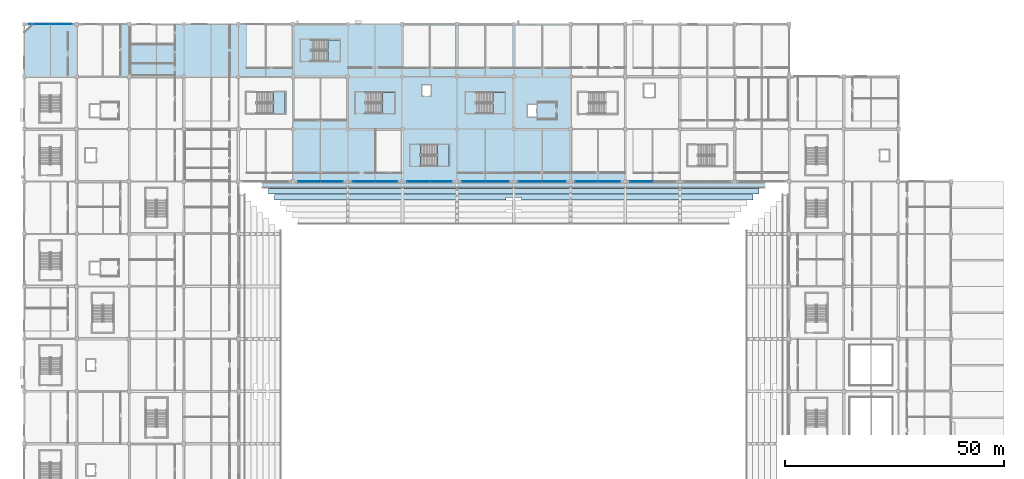
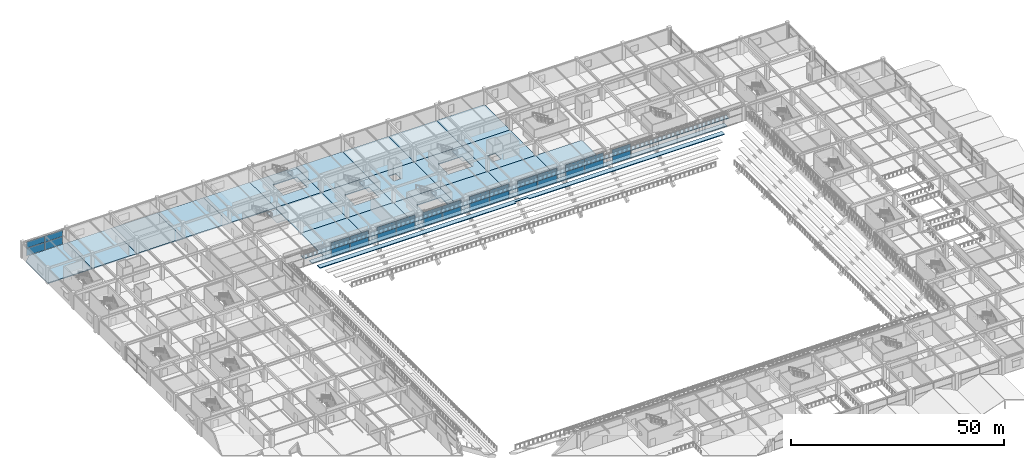
# One storey, part 70 of 134: 30 plates, 29 slabs, 13 elements without a shape of their own.
"""IFC4 building model written with IfcOpenShell, lengths in metres."""

from ifc_helpers import new_model, si_unit, direction, frame, origin, origin_2d, place, context, subcontext, project, spatial, polyline, rectangle, outline, extrude, material, layer, layer_set, type_object, element, aggregate, save


model = new_model("IFC4")

# Units and contexts
model_context = context("Model", 3, precision=1e-05, world=origin(), true_north=direction((0.0, 1.0)))
body_context = subcontext(model_context, "Body", "Model", "MODEL_VIEW")
ifc_project = project(units=[si_unit("LENGTHUNIT", "METRE"), si_unit("AREAUNIT", "SQUARE_METRE"), si_unit("VOLUMEUNIT", "CUBIC_METRE"), si_unit("PLANEANGLEUNIT", "RADIAN"), si_unit("MASSUNIT", "GRAM", prefix="KILO")], contexts=[model_context])

# Site, building, storey
site_placement = place(None, origin())
site = spatial("IfcSite", under=ifc_project, at=site_placement, CompositionType="ELEMENT")
building_placement = place(site_placement, origin())
building = spatial("IfcBuilding", under=site, at=building_placement, Name="Kazenohara Klinker Stadium", CompositionType="ELEMENT")
storey_placement = place(building_placement, frame((0.0, 0.0, 5.39990234375)))
storey = spatial("IfcBuildingStorey", under=building, at=storey_placement, Name="L01", CompositionType="ELEMENT", Elevation=5.39990234375)

# Curtain wall, plates
ifc_material_1 = material(Name="Anodised aluminium and triple glazing", Category="aluminium")
ifc_layer_1 = layer(ifc_material_1, 0.169921875)
ifc_layer_set_1 = layer_set([ifc_layer_1], Name="Anodised aluminium and triple glazing")
curtain_wall_type_1 = type_object("IfcCurtainWallType", Name="CW-SYS-04", PredefinedType="USERDEFINED", material=ifc_layer_set_1)
curtain_wall_1_placement = place(storey_placement, origin())
curtain_wall_1 = element("IfcCurtainWall", 1, at=curtain_wall_1_placement, inside=storey, type_object=curtain_wall_type_1, Name="Unitised facade curtain wall CW04 L01 X0-14", ObjectType="UNITISED CURTAIN WALL", PredefinedType="USERDEFINED")
ifc_material_2 = material(Name="Low-e laminated triple glazing", Category="glass")
ifc_layer_2 = layer(ifc_material_2, 0.0439453125)
ifc_layer_set_2 = layer_set([ifc_layer_2], Name="Low-e laminated triple glazing")
plate_type = type_object("IfcPlateType", Name="CW-PNL-44", PredefinedType="CURTAIN_PANEL", material=ifc_layer_set_2)
plate_1_placement = place(storey_placement, frame((3.545654296875, 168.0, 0.0751953125), z_axis=(0.0, 0.0, 1.0), x_axis=(1.0, 0.0, 0.0)))
plate_1 = element("IfcPlate", 2, at=plate_1_placement, type_object=plate_type, Name="CW04 panel 1.1", PredefinedType="CURTAIN_PANEL", context=body_context, shape_type="SweptSolid", body=[
    extrude(rectangle(XDim=4.83349609375, YDim=0.0439453125, at=origin_2d()), origin(), (0.0, 0.0, 1.0), 2.169921875),
])
plate_2_placement = place(storey_placement, frame((3.545654296875, 168.0, 2.320068359375), z_axis=(0.0, 0.0, 1.0), x_axis=(1.0, 0.0, 0.0)))
plate_2 = element("IfcPlate", 3, at=plate_2_placement, type_object=plate_type, Name="CW04 panel 1.2", PredefinedType="CURTAIN_PANEL", context=body_context, shape_type="SweptSolid", body=[
    extrude(rectangle(XDim=4.83349609375, YDim=0.0439453125, at=origin_2d()), origin(), (0.0, 0.0, 1.0), 1.7548828125),
])
plate_3_placement = place(storey_placement, frame((8.454345703125, 168.0, 0.0751953125), z_axis=(0.0, 0.0, 1.0), x_axis=(1.0, 0.0, 0.0)))
plate_3 = element("IfcPlate", 4, at=plate_3_placement, type_object=plate_type, Name="CW04 panel 2.1", PredefinedType="CURTAIN_PANEL", context=body_context, shape_type="SweptSolid", body=[
    extrude(rectangle(XDim=4.83349609375, YDim=0.0439453125, at=origin_2d()), origin(), (0.0, 0.0, 1.0), 2.169921875),
])
plate_4_placement = place(storey_placement, frame((8.454345703125, 168.0, 2.320068359375), z_axis=(0.0, 0.0, 1.0), x_axis=(1.0, 0.0, 0.0)))
plate_4 = element("IfcPlate", 5, at=plate_4_placement, type_object=plate_type, Name="CW04 panel 2.2", PredefinedType="CURTAIN_PANEL", context=body_context, shape_type="SweptSolid", body=[
    extrude(rectangle(XDim=4.83349609375, YDim=0.0439453125, at=origin_2d()), origin(), (0.0, 0.0, 1.0), 1.7548828125),
])
aggregate(curtain_wall_1, [plate_1, plate_2, plate_3, plate_4])

ifc_layer_3 = layer(ifc_material_1, 0.159912109375)
ifc_layer_set_3 = layer_set([ifc_layer_3], Name="Anodised aluminium and triple glazing")
curtain_wall_type_2 = type_object("IfcCurtainWallType", Name="CW-SYS-01", PredefinedType="USERDEFINED", material=ifc_layer_set_3)
curtain_wall_2_placement = place(storey_placement, origin())
curtain_wall_2 = element("IfcCurtainWall", 6, at=curtain_wall_2_placement, inside=storey, type_object=curtain_wall_type_2, Name="Unitised facade curtain wall CW01 L01 X5-11", ObjectType="UNITISED CURTAIN WALL", PredefinedType="USERDEFINED")
plate_5_placement = place(storey_placement, frame((65.208251953125, 132.0, 0.0751953125), z_axis=(0.0, 0.0, 1.0), x_axis=(1.0, 0.0, 0.0)))
plate_5 = element("IfcPlate", 7, at=plate_5_placement, type_object=plate_type, Name="CW01 panel 1.1", PredefinedType="CURTAIN_PANEL", context=body_context, shape_type="SweptSolid", body=[
    extrude(rectangle(XDim=5.05859375, YDim=0.0439453125, at=origin_2d()), origin(), (0.0, 0.0, 1.0), 2.169921875),
])
plate_6_placement = place(storey_placement, frame((65.208251953125, 132.0, 2.320068359375), z_axis=(0.0, 0.0, 1.0), x_axis=(1.0, 0.0, 0.0)))
plate_6 = element("IfcPlate", 8, at=plate_6_placement, type_object=plate_type, Name="CW01 panel 1.2", PredefinedType="CURTAIN_PANEL", context=body_context, shape_type="SweptSolid", body=[
    extrude(rectangle(XDim=5.05859375, YDim=0.0439453125, at=origin_2d()), origin(), (0.0, 0.0, 1.0), 1.7548828125),
])
plate_7_placement = place(storey_placement, frame((70.341796875, 132.0, 0.0751953125), z_axis=(0.0, 0.0, 1.0), x_axis=(1.0, 0.0, 0.0)))
plate_7 = element("IfcPlate", 9, at=plate_7_placement, type_object=plate_type, Name="CW01 panel 2.1", PredefinedType="CURTAIN_PANEL", context=body_context, shape_type="SweptSolid", body=[
    extrude(rectangle(XDim=5.05859375, YDim=0.0439453125, at=origin_2d()), origin(), (0.0, 0.0, 1.0), 2.169921875),
])
plate_8_placement = place(storey_placement, frame((70.341796875, 132.0, 2.320068359375), z_axis=(0.0, 0.0, 1.0), x_axis=(1.0, 0.0, 0.0)))
plate_8 = element("IfcPlate", 10, at=plate_8_placement, type_object=plate_type, Name="CW01 panel 2.2", PredefinedType="CURTAIN_PANEL", context=body_context, shape_type="SweptSolid", body=[
    extrude(rectangle(XDim=5.05859375, YDim=0.0439453125, at=origin_2d()), origin(), (0.0, 0.0, 1.0), 1.7548828125),
])
aggregate(curtain_wall_2, [plate_5, plate_6, plate_7, plate_8])

ifc_layer_4 = layer(ifc_material_1, 0.199951171875)
ifc_layer_set_4 = layer_set([ifc_layer_4], Name="Anodised aluminium and triple glazing")
curtain_wall_type_3 = type_object("IfcCurtainWallType", Name="CW-SYS-03", PredefinedType="USERDEFINED", material=ifc_layer_set_4)
curtain_wall_3_placement = place(storey_placement, origin())
curtain_wall_3 = element("IfcCurtainWall", 11, at=curtain_wall_3_placement, inside=storey, type_object=curtain_wall_type_3, Name="Unitised facade curtain wall CW03 L01 X6-11", ObjectType="UNITISED CURTAIN WALL", PredefinedType="USERDEFINED")
plate_9_placement = place(storey_placement, frame((77.670654296875, 132.0, 0.0751953125), z_axis=(0.0, 0.0, 1.0), x_axis=(1.0, 0.0, 0.0)))
plate_9 = element("IfcPlate", 12, at=plate_9_placement, type_object=plate_type, Name="CW03 panel 1.1", PredefinedType="CURTAIN_PANEL", context=body_context, shape_type="SweptSolid", body=[
    extrude(rectangle(XDim=5.08349609375, YDim=0.0439453125, at=origin_2d()), origin(), (0.0, 0.0, 1.0), 2.197509765625),
])
plate_10_placement = place(storey_placement, frame((77.670654296875, 132.0, 2.34765625), z_axis=(0.0, 0.0, 1.0), x_axis=(1.0, 0.0, 0.0)))
plate_10 = element("IfcPlate", 13, at=plate_10_placement, type_object=plate_type, Name="CW03 panel 1.2", PredefinedType="CURTAIN_PANEL", context=body_context, shape_type="SweptSolid", body=[
    extrude(rectangle(XDim=5.08349609375, YDim=0.0439453125, at=origin_2d()), origin(), (0.0, 0.0, 1.0), 1.777587890625),
])
plate_11_placement = place(storey_placement, frame((82.829345703125, 132.0, 0.0751953125), z_axis=(0.0, 0.0, 1.0), x_axis=(1.0, 0.0, 0.0)))
plate_11 = element("IfcPlate", 14, at=plate_11_placement, type_object=plate_type, Name="CW03 panel 2.1", PredefinedType="CURTAIN_PANEL", context=body_context, shape_type="SweptSolid", body=[
    extrude(rectangle(XDim=5.08349609375, YDim=0.0439453125, at=origin_2d()), origin(), (0.0, 0.0, 1.0), 2.197509765625),
])
plate_12_placement = place(storey_placement, frame((82.829345703125, 132.0, 2.34765625), z_axis=(0.0, 0.0, 1.0), x_axis=(1.0, 0.0, 0.0)))
plate_12 = element("IfcPlate", 15, at=plate_12_placement, type_object=plate_type, Name="CW03 panel 2.2", PredefinedType="CURTAIN_PANEL", context=body_context, shape_type="SweptSolid", body=[
    extrude(rectangle(XDim=5.08349609375, YDim=0.0439453125, at=origin_2d()), origin(), (0.0, 0.0, 1.0), 1.777587890625),
])
aggregate(curtain_wall_3, [plate_9, plate_10, plate_11, plate_12])

ifc_layer_5 = layer(ifc_material_1, 0.18994140625)
ifc_layer_set_5 = layer_set([ifc_layer_5], Name="Anodised aluminium and triple glazing")
curtain_wall_type_4 = type_object("IfcCurtainWallType", Name="CW-SYS-05", PredefinedType="USERDEFINED", material=ifc_layer_set_5)
curtain_wall_4_placement = place(storey_placement, origin())
curtain_wall_4 = element("IfcCurtainWall", 16, at=curtain_wall_4_placement, inside=storey, type_object=curtain_wall_type_4, Name="Unitised facade curtain wall CW05 L01 X7-11", ObjectType="UNITISED CURTAIN WALL", PredefinedType="USERDEFINED")
plate_13_placement = place(storey_placement, frame((90.158203125, 132.0, 0.0751953125), z_axis=(0.0, 0.0, 1.0), x_axis=(1.0, 0.0, 0.0)))
plate_13 = element("IfcPlate", 17, at=plate_13_placement, type_object=plate_type, Name="CW05 panel 1.1", PredefinedType="CURTAIN_PANEL", context=body_context, shape_type="SweptSolid", body=[
    extrude(rectangle(XDim=5.05859375, YDim=0.0439453125, at=origin_2d()), origin(), (0.0, 0.0, 1.0), 2.169921875),
])
plate_14_placement = place(storey_placement, frame((90.158203125, 132.0, 2.320068359375), z_axis=(0.0, 0.0, 1.0), x_axis=(1.0, 0.0, 0.0)))
plate_14 = element("IfcPlate", 18, at=plate_14_placement, type_object=plate_type, Name="CW05 panel 1.2", PredefinedType="CURTAIN_PANEL", context=body_context, shape_type="SweptSolid", body=[
    extrude(rectangle(XDim=5.05859375, YDim=0.0439453125, at=origin_2d()), origin(), (0.0, 0.0, 1.0), 1.7548828125),
])
plate_15_placement = place(storey_placement, frame((95.291748046875, 132.0, 0.0751953125), z_axis=(0.0, 0.0, 1.0), x_axis=(1.0, 0.0, 0.0)))
plate_15 = element("IfcPlate", 19, at=plate_15_placement, type_object=plate_type, Name="CW05 panel 2.1", PredefinedType="CURTAIN_PANEL", context=body_context, shape_type="SweptSolid", body=[
    extrude(rectangle(XDim=5.05859375, YDim=0.0439453125, at=origin_2d()), origin(), (0.0, 0.0, 1.0), 2.169921875),
])
plate_16_placement = place(storey_placement, frame((95.291748046875, 132.0, 2.320068359375), z_axis=(0.0, 0.0, 1.0), x_axis=(1.0, 0.0, 0.0)))
plate_16 = element("IfcPlate", 20, at=plate_16_placement, type_object=plate_type, Name="CW05 panel 2.2", PredefinedType="CURTAIN_PANEL", context=body_context, shape_type="SweptSolid", body=[
    extrude(rectangle(XDim=5.05859375, YDim=0.0439453125, at=origin_2d()), origin(), (0.0, 0.0, 1.0), 1.7548828125),
])
aggregate(curtain_wall_4, [plate_13, plate_14, plate_15, plate_16])

ifc_layer_6 = layer(ifc_material_1, 0.179931640625)
ifc_layer_set_6 = layer_set([ifc_layer_6], Name="Anodised aluminium and triple glazing")
curtain_wall_type_5 = type_object("IfcCurtainWallType", Name="CW-SYS-02", PredefinedType="USERDEFINED", material=ifc_layer_set_6)
curtain_wall_5_placement = place(storey_placement, origin())
curtain_wall_5 = element("IfcCurtainWall", 21, at=curtain_wall_5_placement, inside=storey, type_object=curtain_wall_type_5, Name="Unitised facade curtain wall CW02 L01 X8-11", ObjectType="UNITISED CURTAIN WALL", PredefinedType="USERDEFINED")
plate_17_placement = place(storey_placement, frame((102.833251953125, 132.0, 0.0751953125), z_axis=(0.0, 0.0, 1.0), x_axis=(1.0, 0.0, 0.0)))
plate_17 = element("IfcPlate", 22, at=plate_17_placement, type_object=plate_type, Name="CW02 panel 1.1", PredefinedType="CURTAIN_PANEL", context=body_context, shape_type="SweptSolid", body=[
    extrude(rectangle(XDim=5.30859375, YDim=0.0439453125, at=origin_2d()), origin(), (0.0, 0.0, 1.0), 2.197509765625),
])
plate_18_placement = place(storey_placement, frame((102.833251953125, 132.0, 2.34765625), z_axis=(0.0, 0.0, 1.0), x_axis=(1.0, 0.0, 0.0)))
plate_18 = element("IfcPlate", 23, at=plate_18_placement, type_object=plate_type, Name="CW02 panel 1.2", PredefinedType="CURTAIN_PANEL", context=body_context, shape_type="SweptSolid", body=[
    extrude(rectangle(XDim=5.30859375, YDim=0.0439453125, at=origin_2d()), origin(), (0.0, 0.0, 1.0), 1.777587890625),
])
plate_19_placement = place(storey_placement, frame((108.216796875, 132.0, 0.0751953125), z_axis=(0.0, 0.0, 1.0), x_axis=(1.0, 0.0, 0.0)))
plate_19 = element("IfcPlate", 24, at=plate_19_placement, type_object=plate_type, Name="CW02 panel 2.1", PredefinedType="CURTAIN_PANEL", context=body_context, shape_type="SweptSolid", body=[
    extrude(rectangle(XDim=5.30859375, YDim=0.0439453125, at=origin_2d()), origin(), (0.0, 0.0, 1.0), 2.197509765625),
])
plate_20_placement = place(storey_placement, frame((108.216796875, 132.0, 2.34765625), z_axis=(0.0, 0.0, 1.0), x_axis=(1.0, 0.0, 0.0)))
plate_20 = element("IfcPlate", 25, at=plate_20_placement, type_object=plate_type, Name="CW02 panel 2.2", PredefinedType="CURTAIN_PANEL", context=body_context, shape_type="SweptSolid", body=[
    extrude(rectangle(XDim=5.30859375, YDim=0.0439453125, at=origin_2d()), origin(), (0.0, 0.0, 1.0), 1.777587890625),
])
aggregate(curtain_wall_5, [plate_17, plate_18, plate_19, plate_20])

curtain_wall_6_placement = place(storey_placement, origin())
curtain_wall_6 = element("IfcCurtainWall", 26, at=curtain_wall_6_placement, inside=storey, type_object=curtain_wall_type_1, Name="Unitised facade curtain wall CW04 L01 X9-11", ObjectType="UNITISED CURTAIN WALL", PredefinedType="USERDEFINED")
plate_21_placement = place(storey_placement, frame((115.795654296875, 132.0, 0.0751953125), z_axis=(0.0, 0.0, 1.0), x_axis=(1.0, 0.0, 0.0)))
plate_21 = element("IfcPlate", 27, at=plate_21_placement, type_object=plate_type, Name="CW04 panel 1.1", PredefinedType="CURTAIN_PANEL", context=body_context, shape_type="SweptSolid", body=[
    extrude(rectangle(XDim=5.33349609375, YDim=0.0439453125, at=origin_2d()), origin(), (0.0, 0.0, 1.0), 2.169921875),
])
plate_22_placement = place(storey_placement, frame((115.795654296875, 132.0, 2.320068359375), z_axis=(0.0, 0.0, 1.0), x_axis=(1.0, 0.0, 0.0)))
plate_22 = element("IfcPlate", 28, at=plate_22_placement, type_object=plate_type, Name="CW04 panel 1.2", PredefinedType="CURTAIN_PANEL", context=body_context, shape_type="SweptSolid", body=[
    extrude(rectangle(XDim=5.33349609375, YDim=0.0439453125, at=origin_2d()), origin(), (0.0, 0.0, 1.0), 1.7548828125),
])
plate_23_placement = place(storey_placement, frame((121.204345703125, 132.0, 0.0751953125), z_axis=(0.0, 0.0, 1.0), x_axis=(1.0, 0.0, 0.0)))
plate_23 = element("IfcPlate", 29, at=plate_23_placement, type_object=plate_type, Name="CW04 panel 2.1", PredefinedType="CURTAIN_PANEL", context=body_context, shape_type="SweptSolid", body=[
    extrude(rectangle(XDim=5.33349609375, YDim=0.0439453125, at=origin_2d()), origin(), (0.0, 0.0, 1.0), 2.169921875),
])
plate_24_placement = place(storey_placement, frame((121.204345703125, 132.0, 2.320068359375), z_axis=(0.0, 0.0, 1.0), x_axis=(1.0, 0.0, 0.0)))
plate_24 = element("IfcPlate", 30, at=plate_24_placement, type_object=plate_type, Name="CW04 panel 2.2", PredefinedType="CURTAIN_PANEL", context=body_context, shape_type="SweptSolid", body=[
    extrude(rectangle(XDim=5.33349609375, YDim=0.0439453125, at=origin_2d()), origin(), (0.0, 0.0, 1.0), 1.7548828125),
])
aggregate(curtain_wall_6, [plate_21, plate_22, plate_23, plate_24])

curtain_wall_7_placement = place(storey_placement, origin())
curtain_wall_7 = element("IfcCurtainWall", 31, at=curtain_wall_7_placement, inside=storey, type_object=curtain_wall_type_2, Name="Unitised facade curtain wall CW01 L01 X10-11", ObjectType="UNITISED CURTAIN WALL", PredefinedType="USERDEFINED")
plate_25_placement = place(storey_placement, frame((128.658203125, 132.0, 0.0751953125), z_axis=(0.0, 0.0, 1.0), x_axis=(1.0, 0.0, 0.0)))
plate_25 = element("IfcPlate", 32, at=plate_25_placement, type_object=plate_type, Name="CW01 panel 1.1", PredefinedType="CURTAIN_PANEL", context=body_context, shape_type="SweptSolid", body=[
    extrude(rectangle(XDim=5.05859375, YDim=0.0439453125, at=origin_2d()), origin(), (0.0, 0.0, 1.0), 2.197509765625),
])
plate_26_placement = place(storey_placement, frame((128.658203125, 132.0, 2.34765625), z_axis=(0.0, 0.0, 1.0), x_axis=(1.0, 0.0, 0.0)))
plate_26 = element("IfcPlate", 33, at=plate_26_placement, type_object=plate_type, Name="CW01 panel 1.2", PredefinedType="CURTAIN_PANEL", context=body_context, shape_type="SweptSolid", body=[
    extrude(rectangle(XDim=5.05859375, YDim=0.0439453125, at=origin_2d()), origin(), (0.0, 0.0, 1.0), 1.777587890625),
])
plate_27_placement = place(storey_placement, frame((133.791748046875, 132.0, 0.0751953125), z_axis=(0.0, 0.0, 1.0), x_axis=(1.0, 0.0, 0.0)))
plate_27 = element("IfcPlate", 34, at=plate_27_placement, type_object=plate_type, Name="CW01 panel 2.1", PredefinedType="CURTAIN_PANEL", context=body_context, shape_type="SweptSolid", body=[
    extrude(rectangle(XDim=5.05859375, YDim=0.0439453125, at=origin_2d()), origin(), (0.0, 0.0, 1.0), 2.197509765625),
])
plate_28_placement = place(storey_placement, frame((133.791748046875, 132.0, 2.34765625), z_axis=(0.0, 0.0, 1.0), x_axis=(1.0, 0.0, 0.0)))
plate_28 = element("IfcPlate", 35, at=plate_28_placement, type_object=plate_type, Name="CW01 panel 2.2", PredefinedType="CURTAIN_PANEL", context=body_context, shape_type="SweptSolid", body=[
    extrude(rectangle(XDim=5.05859375, YDim=0.0439453125, at=origin_2d()), origin(), (0.0, 0.0, 1.0), 1.777587890625),
])
aggregate(curtain_wall_7, [plate_25, plate_26, plate_27, plate_28])

curtain_wall_8_placement = place(storey_placement, origin())
curtain_wall_8 = element("IfcCurtainWall", 36, at=curtain_wall_8_placement, inside=storey, type_object=curtain_wall_type_3, Name="Unitised facade curtain wall CW03 L01 X11-11", ObjectType="UNITISED CURTAIN WALL", PredefinedType="USERDEFINED")
plate_29_placement = place(storey_placement, frame((141.208251953125, 132.0, 0.0751953125), z_axis=(0.0, 0.0, 1.0), x_axis=(1.0, 0.0, 0.0)))
plate_29 = element("IfcPlate", 37, at=plate_29_placement, type_object=plate_type, Name="CW03 panel 1.1", PredefinedType="CURTAIN_PANEL", context=body_context, shape_type="SweptSolid", body=[
    extrude(rectangle(XDim=5.05859375, YDim=0.0439453125, at=origin_2d()), origin(), (0.0, 0.0, 1.0), 2.169921875),
])
plate_30_placement = place(storey_placement, frame((141.208251953125, 132.0, 2.320068359375), z_axis=(0.0, 0.0, 1.0), x_axis=(1.0, 0.0, 0.0)))
plate_30 = element("IfcPlate", 38, at=plate_30_placement, type_object=plate_type, Name="CW03 panel 1.2", PredefinedType="CURTAIN_PANEL", context=body_context, shape_type="SweptSolid", body=[
    extrude(rectangle(XDim=5.05859375, YDim=0.0439453125, at=origin_2d()), origin(), (0.0, 0.0, 1.0), 1.7548828125),
])
aggregate(curtain_wall_8, [plate_29, plate_30])

# Slabs
ifc_material_3 = material(Name="Concrete C40/50", Category="concrete")
ifc_layer_7 = layer(ifc_material_3, 0.260009765625)
ifc_layer_set_7 = layer_set([ifc_layer_7], Name="Concrete C40/50")
slab_type_1 = type_object("IfcSlabType", Name="SLB-FLR-260", PredefinedType="FLOOR", material=ifc_layer_set_7)
slab_1_placement = place(storey_placement, frame((0.0, 0.0, -0.260009765625)))
element("IfcSlab", 39, at=slab_1_placement, inside=storey, type_object=slab_type_1, Name="Floor slab FS02 L01 1/P", PredefinedType="FLOOR", context=body_context, shape_type="SweptSolid", body=[
    extrude(outline(polyline([(0.0, 156.0), (12.0, 156.0), (12.0, 168.0), (1.800048828125, 168.0), (0.0, 166.199951171875), (0.0, 156.0)])), origin(), (0.0, 0.0, 1.0), 0.260009765625),
])
slab_2_placement = place(storey_placement, frame((0.0, 0.0, -0.260009765625)))
element("IfcSlab", 40, at=slab_2_placement, inside=storey, type_object=slab_type_1, Name="Floor slab FS02 L01 2/P", PredefinedType="FLOOR", context=body_context, shape_type="SweptSolid", body=[
    extrude(outline(polyline([(12.0, 156.0), (24.0, 156.0), (24.0, 168.0), (12.0, 168.0), (12.0, 156.0)])), origin(), (0.0, 0.0, 1.0), 0.260009765625),
])
slab_3_placement = place(storey_placement, frame((0.0, 0.0, -0.260009765625)))
element("IfcSlab", 41, at=slab_3_placement, inside=storey, type_object=slab_type_1, Name="Floor slab FS02 L01 3/P", PredefinedType="FLOOR", context=body_context, shape_type="SweptSolid", body=[
    extrude(outline(polyline([(24.0, 156.0), (36.5, 156.0), (36.5, 168.0), (24.0, 168.0), (24.0, 156.0)])), origin(), (0.0, 0.0, 1.0), 0.260009765625),
])
slab_4_placement = place(storey_placement, frame((0.0, 0.0, -0.260009765625)))
element("IfcSlab", 42, at=slab_4_placement, inside=storey, type_object=slab_type_1, Name="Floor slab FS02 L01 4/P", PredefinedType="FLOOR", context=body_context, shape_type="SweptSolid", body=[
    extrude(outline(polyline([(36.5, 156.0), (49.0, 156.0), (49.0, 168.0), (36.5, 168.0), (36.5, 156.0)])), origin(), (0.0, 0.0, 1.0), 0.260009765625),
])
slab_5_placement = place(storey_placement, frame((0.0, 0.0, -0.260009765625)))
element("IfcSlab", 43, at=slab_5_placement, inside=storey, type_object=slab_type_1, Name="Floor slab FS02 L01 5/P", PredefinedType="FLOOR", context=body_context, shape_type="SweptSolid", body=[
    extrude(outline(polyline([(49.0, 156.0), (61.5, 156.0), (61.5, 168.0), (49.0, 168.0), (49.0, 156.0)])), origin(), (0.0, 0.0, 1.0), 0.260009765625),
])
slab_6_placement = place(storey_placement, frame((0.0, 0.0, -0.260009765625)))
element("IfcSlab", 44, at=slab_6_placement, inside=storey, type_object=slab_type_1, Name="Floor slab FS02 L01 6/M", PredefinedType="FLOOR", context=body_context, shape_type="SweptSolid", body=[
    extrude(outline(polyline([(61.5, 132.0), (74.0, 132.0), (74.0, 144.0), (61.5, 144.0), (61.5, 132.0)])), origin(), (0.0, 0.0, 1.0), 0.260009765625),
])
slab_7_placement = place(storey_placement, frame((0.0, 0.0, -0.260009765625)))
element("IfcSlab", 45, at=slab_7_placement, inside=storey, type_object=slab_type_1, Name="Floor slab FS02 L01 6/N", PredefinedType="FLOOR", context=body_context, shape_type="SweptSolid", body=[
    extrude(outline(polyline([(61.5, 144.0), (74.0, 144.0), (74.0, 156.0), (61.5, 156.0), (61.5, 144.0)])), origin(), (0.0, 0.0, 1.0), 0.260009765625),
])
slab_8_placement = place(storey_placement, frame((0.0, 0.0, -0.260009765625)))
element("IfcSlab", 46, at=slab_8_placement, inside=storey, type_object=slab_type_1, Name="Floor slab FS02 L01 6/P", PredefinedType="FLOOR", context=body_context, shape_type="SweptSolid", body=[
    extrude(outline(polyline([(61.5, 156.0), (74.0, 156.0), (74.0, 168.0), (61.5, 168.0), (61.5, 156.0)]), holes=[polyline([(65.699951171875, 159.570068359375), (72.2099609375, 159.570068359375), (72.2099609375, 164.429931640625), (65.699951171875, 164.429931640625), (65.699951171875, 159.570068359375)])]), origin(), (0.0, 0.0, 1.0), 0.260009765625),
])
slab_9_placement = place(storey_placement, frame((0.0, 0.0, -0.260009765625)))
element("IfcSlab", 47, at=slab_9_placement, inside=storey, type_object=slab_type_1, Name="Floor slab FS02 L01 7/M", PredefinedType="FLOOR", context=body_context, shape_type="SweptSolid", body=[
    extrude(outline(polyline([(74.0, 132.0), (86.5, 132.0), (86.5, 144.0), (74.0, 144.0), (74.0, 132.0)])), origin(), (0.0, 0.0, 1.0), 0.260009765625),
])
slab_10_placement = place(storey_placement, frame((0.0, 0.0, -0.260009765625)))
element("IfcSlab", 48, at=slab_10_placement, inside=storey, type_object=slab_type_1, Name="Floor slab FS02 L01 7/N", PredefinedType="FLOOR", context=body_context, shape_type="SweptSolid", body=[
    extrude(outline(polyline([(74.0, 144.0), (86.5, 144.0), (86.5, 156.0), (74.0, 156.0), (74.0, 144.0)]), holes=[polyline([(78.169921875, 147.60009765625), (84.7099609375, 147.60009765625), (84.7099609375, 152.39990234375), (78.169921875, 152.39990234375), (78.169921875, 147.60009765625)])]), origin(), (0.0, 0.0, 1.0), 0.260009765625),
])
slab_11_placement = place(storey_placement, frame((0.0, 0.0, -0.260009765625)))
element("IfcSlab", 49, at=slab_11_placement, inside=storey, type_object=slab_type_1, Name="Floor slab FS02 L01 7/P", PredefinedType="FLOOR", context=body_context, shape_type="SweptSolid", body=[
    extrude(outline(polyline([(74.0, 156.0), (86.5, 156.0), (86.5, 168.0), (74.0, 168.0), (74.0, 156.0)])), origin(), (0.0, 0.0, 1.0), 0.260009765625),
])
slab_12_placement = place(storey_placement, frame((0.0, 0.0, -0.260009765625)))
element("IfcSlab", 50, at=slab_12_placement, inside=storey, type_object=slab_type_1, Name="Floor slab FS02 L01 8/M", PredefinedType="FLOOR", context=body_context, shape_type="SweptSolid", body=[
    extrude(outline(polyline([(86.5, 132.0), (99.0, 132.0), (99.0, 144.0), (86.5, 144.0), (86.5, 132.0)]), holes=[polyline([(90.699951171875, 135.570068359375), (97.2099609375, 135.570068359375), (97.2099609375, 140.429931640625), (90.699951171875, 140.429931640625), (90.699951171875, 135.570068359375)])]), origin(), (0.0, 0.0, 1.0), 0.260009765625),
])
slab_13_placement = place(storey_placement, frame((0.0, 0.0, -0.260009765625)))
element("IfcSlab", 51, at=slab_13_placement, inside=storey, type_object=slab_type_1, Name="Floor slab FS02 L01 8/N", PredefinedType="FLOOR", context=body_context, shape_type="SweptSolid", body=[
    extrude(outline(polyline([(86.5, 144.0), (99.0, 144.0), (99.0, 156.0), (86.5, 156.0), (86.5, 144.0)]), holes=[polyline([(91.050048828125, 151.60009765625), (92.949951171875, 151.60009765625), (92.949951171875, 154.0), (91.050048828125, 154.0), (91.050048828125, 151.60009765625)])]), origin(), (0.0, 0.0, 1.0), 0.260009765625),
])
slab_14_placement = place(storey_placement, frame((0.0, 0.0, -0.260009765625)))
element("IfcSlab", 52, at=slab_14_placement, inside=storey, type_object=slab_type_1, Name="Floor slab FS02 L01 8/P", PredefinedType="FLOOR", context=body_context, shape_type="SweptSolid", body=[
    extrude(outline(polyline([(86.5, 156.0), (99.0, 156.0), (99.0, 168.0), (86.5, 168.0), (86.5, 156.0)])), origin(), (0.0, 0.0, 1.0), 0.260009765625),
])
slab_15_placement = place(storey_placement, frame((0.0, 0.0, -0.260009765625)))
element("IfcSlab", 53, at=slab_15_placement, inside=storey, type_object=slab_type_1, Name="Floor slab FS02 L01 9/M", PredefinedType="FLOOR", context=body_context, shape_type="SweptSolid", body=[
    extrude(outline(polyline([(99.0, 132.0), (112.0, 132.0), (112.0, 144.0), (99.0, 144.0), (99.0, 132.0)])), origin(), (0.0, 0.0, 1.0), 0.260009765625),
])
slab_16_placement = place(storey_placement, frame((0.0, 0.0, -0.260009765625)))
element("IfcSlab", 54, at=slab_16_placement, inside=storey, type_object=slab_type_1, Name="Floor slab FS02 L01 9/N", PredefinedType="FLOOR", context=body_context, shape_type="SweptSolid", body=[
    extrude(outline(polyline([(99.0, 144.0), (112.0, 144.0), (112.0, 156.0), (99.0, 156.0), (99.0, 144.0)]), holes=[polyline([(103.429931640625, 147.590087890625), (109.9599609375, 147.590087890625), (109.9599609375, 152.409912109375), (103.429931640625, 152.409912109375), (103.429931640625, 147.590087890625)])]), origin(), (0.0, 0.0, 1.0), 0.260009765625),
])
slab_17_placement = place(storey_placement, frame((0.0, 0.0, -0.260009765625)))
element("IfcSlab", 55, at=slab_17_placement, inside=storey, type_object=slab_type_1, Name="Floor slab FS02 L01 9/P", PredefinedType="FLOOR", context=body_context, shape_type="SweptSolid", body=[
    extrude(outline(polyline([(99.0, 156.0), (112.0, 156.0), (112.0, 168.0), (99.0, 168.0), (99.0, 156.0)])), origin(), (0.0, 0.0, 1.0), 0.260009765625),
])
slab_18_placement = place(storey_placement, frame((0.0, 0.0, -0.260009765625)))
element("IfcSlab", 56, at=slab_18_placement, inside=storey, type_object=slab_type_1, Name="Floor slab FS02 L01 10/M", PredefinedType="FLOOR", context=body_context, shape_type="SweptSolid", body=[
    extrude(outline(polyline([(112.0, 132.0), (125.0, 132.0), (125.0, 144.0), (112.0, 144.0), (112.0, 132.0)])), origin(), (0.0, 0.0, 1.0), 0.260009765625),
])
slab_19_placement = place(storey_placement, frame((0.0, 0.0, -0.260009765625)))
element("IfcSlab", 57, at=slab_19_placement, inside=storey, type_object=slab_type_1, Name="Floor slab FS02 L01 10/N", PredefinedType="FLOOR", context=body_context, shape_type="SweptSolid", body=[
    extrude(outline(polyline([(112.0, 144.0), (125.0, 144.0), (125.0, 156.0), (112.0, 156.0), (112.0, 144.0)]), holes=[polyline([(115.14990234375, 146.85009765625), (117.25, 146.85009765625), (117.25, 149.550048828125), (115.14990234375, 149.550048828125), (115.14990234375, 146.85009765625)])]), origin(), (0.0, 0.0, 1.0), 0.260009765625),
])
slab_20_placement = place(storey_placement, frame((0.0, 0.0, -0.260009765625)))
element("IfcSlab", 58, at=slab_20_placement, inside=storey, type_object=slab_type_1, Name="Floor slab FS02 L01 10/P", PredefinedType="FLOOR", context=body_context, shape_type="SweptSolid", body=[
    extrude(outline(polyline([(112.0, 156.0), (125.0, 156.0), (125.0, 168.0), (112.0, 168.0), (112.0, 156.0)])), origin(), (0.0, 0.0, 1.0), 0.260009765625),
])
slab_21_placement = place(storey_placement, frame((0.0, 0.0, -0.260009765625)))
element("IfcSlab", 59, at=slab_21_placement, inside=storey, type_object=slab_type_1, Name="Floor slab FS02 L01 11/M", PredefinedType="FLOOR", context=body_context, shape_type="SweptSolid", body=[
    extrude(outline(polyline([(125.0, 132.0), (137.5, 132.0), (137.5, 144.0), (125.0, 144.0), (125.0, 132.0)])), origin(), (0.0, 0.0, 1.0), 0.260009765625),
])

# Stair, slab
stair_type_1 = type_object("IfcStairType", Name="STR-DL-2340", PredefinedType="HALF_TURN_STAIR", material=ifc_material_3)
stair_1_placement = place(storey_placement, origin())
stair_1 = element("IfcStair", 60, at=stair_1_placement, inside=storey, type_object=stair_type_1, Name="L01 Enclosed escape stair ST08", PredefinedType="HALF_TURN_STAIR")
ifc_layer_8 = layer(ifc_material_3, 0.199951171875)
ifc_layer_set_8 = layer_set([ifc_layer_8], Name="Concrete C40/50")
slab_type_2 = type_object("IfcSlabType", Name="SLB-LND-200", PredefinedType="LANDING", material=ifc_layer_set_8)
slab_22_placement = place(storey_placement, frame((0.0, 0.0, 2.2001953125)))
slab_22 = element("IfcSlab", 61, at=slab_22_placement, type_object=slab_type_2, Name="ST08 landing 1", PredefinedType="LANDING", context=body_context, shape_type="SweptSolid", body=[
    extrude(outline(polyline([(57.050048828125, 147.56005859375), (59.7099609375, 147.56005859375), (59.7099609375, 152.43994140625), (57.050048828125, 152.43994140625), (57.050048828125, 147.56005859375)])), origin(), (0.0, 0.0, 1.0), 0.199951171875),
])
aggregate(stair_1, [slab_22])

stair_type_2 = type_object("IfcStairType", Name="STR-DL-2300", PredefinedType="HALF_TURN_STAIR", material=ifc_material_3)
stair_2_placement = place(storey_placement, origin())
stair_2 = element("IfcStair", 62, at=stair_2_placement, inside=storey, type_object=stair_type_2, Name="L01 Enclosed escape stair ST09", PredefinedType="HALF_TURN_STAIR")
slab_23_placement = place(storey_placement, frame((0.0, 0.0, 2.2001953125)))
slab_23 = element("IfcSlab", 63, at=slab_23_placement, type_object=slab_type_2, Name="ST09 landing 1", PredefinedType="LANDING", context=body_context, shape_type="SweptSolid", body=[
    extrude(outline(polyline([(82.010009765625, 147.60009765625), (84.7099609375, 147.60009765625), (84.7099609375, 152.39990234375), (82.010009765625, 152.39990234375), (82.010009765625, 147.60009765625)])), origin(), (0.0, 0.0, 1.0), 0.199951171875),
])
aggregate(stair_2, [slab_23])

stair_type_3 = type_object("IfcStairType", Name="STR-DL-2310", PredefinedType="HALF_TURN_STAIR", material=ifc_material_3)
stair_3_placement = place(storey_placement, origin())
stair_3 = element("IfcStair", 64, at=stair_3_placement, inside=storey, type_object=stair_type_3, Name="L01 Enclosed escape stair ST10", PredefinedType="HALF_TURN_STAIR")
slab_24_placement = place(storey_placement, frame((0.0, 0.0, 2.2001953125)))
slab_24 = element("IfcSlab", 65, at=slab_24_placement, type_object=slab_type_2, Name="ST10 landing 1", PredefinedType="LANDING", context=body_context, shape_type="SweptSolid", body=[
    extrude(outline(polyline([(107.27001953125, 147.590087890625), (109.9599609375, 147.590087890625), (109.9599609375, 152.409912109375), (107.27001953125, 152.409912109375), (107.27001953125, 147.590087890625)])), origin(), (0.0, 0.0, 1.0), 0.199951171875),
])
aggregate(stair_3, [slab_24])

stair_type_4 = type_object("IfcStairType", Name="STR-DL-2330", PredefinedType="HALF_TURN_STAIR", material=ifc_material_3)
stair_4_placement = place(storey_placement, origin())
stair_4 = element("IfcStair", 66, at=stair_4_placement, inside=storey, type_object=stair_type_4, Name="L01 Enclosed escape stair ST15", PredefinedType="HALF_TURN_STAIR")
slab_25_placement = place(storey_placement, frame((0.0, 0.0, 2.2001953125)))
slab_25 = element("IfcSlab", 67, at=slab_25_placement, type_object=slab_type_2, Name="ST15 landing 1", PredefinedType="LANDING", context=body_context, shape_type="SweptSolid", body=[
    extrude(outline(polyline([(69.5400390625, 159.570068359375), (72.2099609375, 159.570068359375), (72.2099609375, 164.429931640625), (69.5400390625, 164.429931640625), (69.5400390625, 159.570068359375)])), origin(), (0.0, 0.0, 1.0), 0.199951171875),
])
aggregate(stair_4, [slab_25])

stair_5_placement = place(storey_placement, origin())
stair_5 = element("IfcStair", 68, at=stair_5_placement, inside=storey, type_object=stair_type_4, Name="L01 Enclosed escape stair ST19", PredefinedType="HALF_TURN_STAIR")
slab_26_placement = place(storey_placement, frame((0.0, 0.0, 2.2001953125)))
slab_26 = element("IfcSlab", 69, at=slab_26_placement, type_object=slab_type_2, Name="ST19 landing 1", PredefinedType="LANDING", context=body_context, shape_type="SweptSolid", body=[
    extrude(outline(polyline([(94.5400390625, 135.570068359375), (97.2099609375, 135.570068359375), (97.2099609375, 140.429931640625), (94.5400390625, 140.429931640625), (94.5400390625, 135.570068359375)])), origin(), (0.0, 0.0, 1.0), 0.199951171875),
])
aggregate(stair_5, [slab_26])

# Slabs
ifc_material_4 = material(Name="Precast concrete C50/60", Category="concrete")
ifc_layer_9 = layer(ifc_material_4, 0.2099609375)
ifc_layer_set_9 = layer_set([ifc_layer_9], Name="Precast concrete C50/60")
slab_type_3 = type_object("IfcSlabType", Name="SLB-TIER-210", PredefinedType="USERDEFINED", material=ifc_layer_set_9)
slab_27_placement = place(storey_placement, frame((0.0, 0.0, 3.190185546875)))
element("IfcSlab", 70, at=slab_27_placement, inside=storey, type_object=slab_type_3, Name="Stand lower tier N-01", ObjectType="SEATING TIER", PredefinedType="USERDEFINED", context=body_context, shape_type="SweptSolid", body=[
    extrude(outline(polyline([(54.531494140625, 130.468505859375), (169.468505859375, 130.468505859375), (169.468505859375, 131.800048828125), (54.531494140625, 131.800048828125), (54.531494140625, 130.468505859375)])), origin(), (0.0, 0.0, 1.0), 0.2099609375),
])
slab_28_placement = place(storey_placement, frame((0.0, 0.0, 2.190185546875)))
element("IfcSlab", 71, at=slab_28_placement, inside=storey, type_object=slab_type_3, Name="Stand lower tier N-02", ObjectType="SEATING TIER", PredefinedType="USERDEFINED", context=body_context, shape_type="SweptSolid", body=[
    extrude(outline(polyline([(55.90283203125, 129.09716796875), (168.09716796875, 129.09716796875), (168.09716796875, 130.4287109375), (55.90283203125, 130.4287109375), (55.90283203125, 129.09716796875)])), origin(), (0.0, 0.0, 1.0), 0.2099609375),
])
slab_29_placement = place(storey_placement, frame((0.0, 0.0, 1.190185546875)))
element("IfcSlab", 72, at=slab_29_placement, inside=storey, type_object=slab_type_3, Name="Stand lower tier N-03", ObjectType="SEATING TIER", PredefinedType="USERDEFINED", context=body_context, shape_type="SweptSolid", body=[
    extrude(outline(polyline([(57.274169921875, 127.725830078125), (110.199951171875, 127.725830078125), (110.199951171875, 128.324951171875), (113.800048828125, 128.324951171875), (113.800048828125, 127.725830078125), (166.725830078125, 127.725830078125), (166.725830078125, 129.05712890625), (57.274169921875, 129.05712890625), (57.274169921875, 127.725830078125)])), origin(), (0.0, 0.0, 1.0), 0.2099609375),
])

save(model, "model.ifc")
